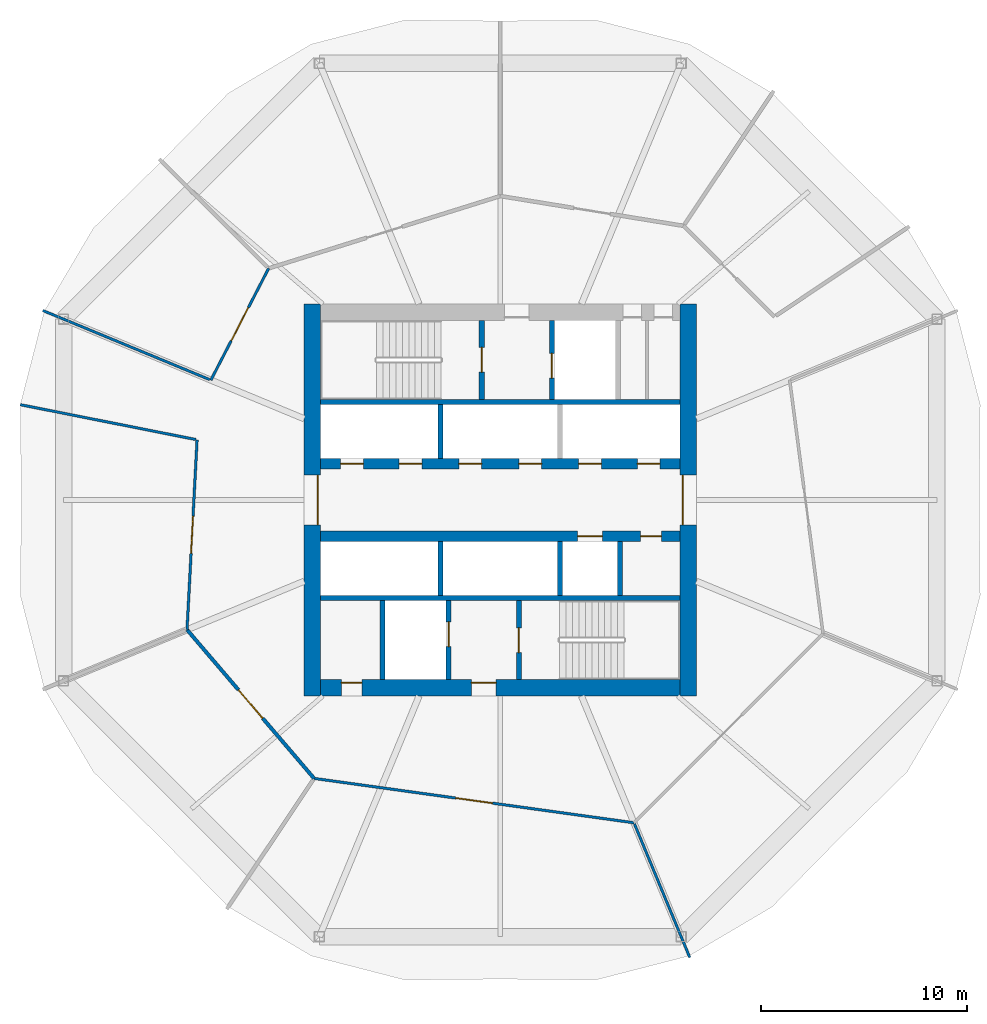
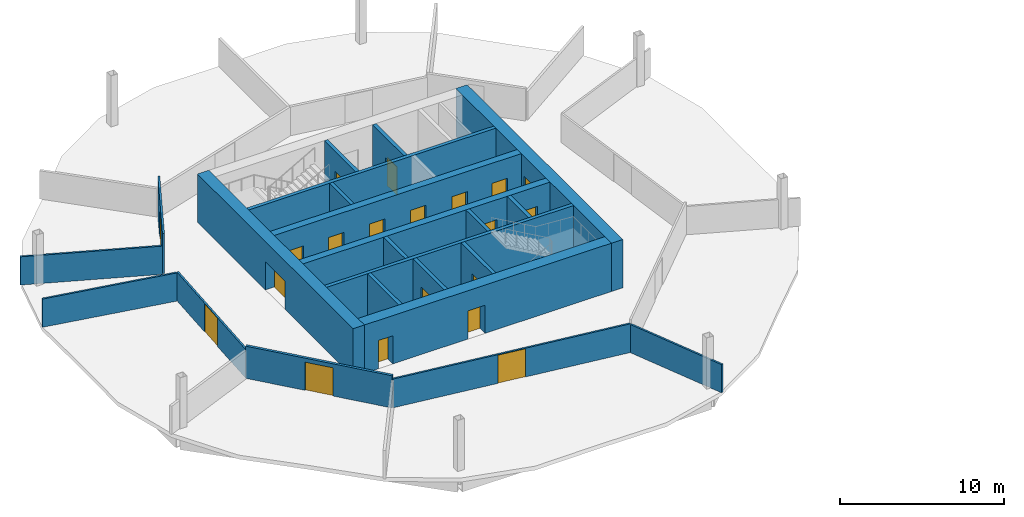
# One storey, part 4 of 9: 23 walls, 20 doors, 20 openings.
"""IFC4 building model written with IfcOpenShell, lengths in metres."""

from ifc_helpers import new_model, si_unit, direction, frame, frame_2d, origin, place, context, subcontext, project, spatial, rectangle, extrude, material, layer, layer_set, type_object, element, fill, save


model = new_model("IFC4")

# Units and contexts
model_context = context("Model", 3, precision=1e-05, world=origin(), true_north=direction((0.0, 1.0)))
body_context = subcontext(model_context, "Body", "Model", "MODEL_VIEW")
ifc_project = project(units=[si_unit("LENGTHUNIT", "METRE"), si_unit("AREAUNIT", "SQUARE_METRE"), si_unit("VOLUMEUNIT", "CUBIC_METRE"), si_unit("PLANEANGLEUNIT", "RADIAN"), si_unit("MASSUNIT", "GRAM", prefix="KILO")], contexts=[model_context])

# Site, building, storey
site_placement = place(None, origin())
site = spatial("IfcSite", under=ifc_project, at=site_placement, CompositionType="ELEMENT")
building_placement = place(site_placement, origin())
building = spatial("IfcBuilding", under=site, at=building_placement, Name="Ogive Gate Towers", CompositionType="ELEMENT")
storey_placement = place(building_placement, frame((0.0, 0.0, 67.5)))
storey = spatial("IfcBuildingStorey", under=building, at=storey_placement, Name="L15", CompositionType="ELEMENT", Elevation=67.5)

# Wall, opening, door
ifc_material_1 = material(Name="Gypsum board acoustic partition")
ifc_layer_1 = layer(ifc_material_1, 0.175048828125)
ifc_layer_set_1 = layer_set([ifc_layer_1], Name="Acoustic partition 175")
wall_type_1 = type_object("IfcWallType", Name="Acoustic partition 175", PredefinedType="PARTITIONING", material=ifc_layer_set_1)
wall_1_placement = place(storey_placement, frame((-51.175537109375, -6.285888671875, 0.0), z_axis=(0.0, 0.0, 1.0), x_axis=(0.649772264794, -0.760128938999, 0.0)))
wall_1 = element("IfcWall", 1, at=wall_1_placement, inside=storey, type_object=wall_type_1, Name="Partition T1-L15-017", PredefinedType="PARTITIONING", context=body_context, shape_type="SweptSolid", body=[
    extrude(rectangle(XDim=9.475341796875, YDim=0.175048828125, at=frame_2d((4.73779296875, 0.0))), origin(), (0.0, 0.0, 1.0), 2.39990234375),
])
opening_1_placement = place(wall_1_placement, frame((3.837890625, 0.0, 0.0)))
opening_1 = element("IfcOpeningElement", 2, at=opening_1_placement, cuts=wall_1, Name="Opening T1-L15-D06", PredefinedType="OPENING", context=body_context, shape_type="SweptSolid", body=[
    extrude(rectangle(XDim=1.800048828125, YDim=2.10009765625, at=frame_2d((0.89990234375, 1.050048828125))), frame((0.0, 0.09765625, 0.0), z_axis=(0.0, -1.0, 0.0), x_axis=(1.0, 0.0, 0.0)), (0.0, 0.0, 1.0), 0.195068359375),
])
ifc_material_2 = material(Name="Timber door", Category="wood")
door_type_1 = type_object("IfcDoorType", Name="Door pair 1800", OperationType="NOTDEFINED", PredefinedType="DOOR", material=ifc_material_2)
door_1_placement = place(opening_1_placement, origin())
door_1 = element("IfcDoor", 3, at=door_1_placement, inside=storey, type_object=door_type_1, Name="Door T1-L15-D06", OperationType="DOUBLE_DOOR_DOUBLE_SWING", OverallHeight=2.10009765625, OverallWidth=1.800048828125, PredefinedType="DOOR", context=body_context, shape_type="SweptSolid", body=[
    extrude(rectangle(XDim=1.800048828125, YDim=2.10009765625, at=frame_2d((0.89990234375, 1.050048828125))), frame((0.0, 0.02490234375, 0.0), z_axis=(0.0, -1.0, 0.0), x_axis=(1.0, 0.0, 0.0)), (0.0, 0.0, 1.0), 0.050048828125),
])
fill(opening_1, door_1)

# Wall, openings, doors
ifc_material_3 = material(Name="Concrete C60/75", Category="concrete")
ifc_layer_2 = layer(ifc_material_3, 0.800048828125)
ifc_layer_set_2 = layer_set([ifc_layer_2], Name="Core wall 800 mm")
wall_type_2 = type_object("IfcWallType", Name="Core wall 800 mm", PredefinedType="SHEAR", material=ifc_layer_set_2)
wall_2_placement = place(storey_placement, frame((-44.699951171875, -9.10009765625, 0.0), z_axis=(0.0, 0.0, 1.0), x_axis=(1.0, 0.0, 0.0)))
wall_2 = element("IfcWall", 4, at=wall_2_placement, inside=storey, type_object=wall_type_2, Name="T1 L15 Core wall 800 mm", PredefinedType="SHEAR", context=body_context, shape_type="SweptSolid", body=[
    extrude(rectangle(XDim=17.39990234375, YDim=0.800048828125, at=frame_2d((8.699951171875, 0.0))), origin(), (0.0, 0.0, 1.0), 3.60009765625),
])
opening_2_placement = place(wall_2_placement, frame((7.300048828125, 0.0, 0.0)))
opening_2 = element("IfcOpeningElement", 5, at=opening_2_placement, cuts=wall_2, Name="Opening KD-T1-L15-16", PredefinedType="OPENING", context=body_context, shape_type="SweptSolid", body=[
    extrude(rectangle(XDim=1.199951171875, YDim=2.10009765625, at=frame_2d((0.60009765625, 1.050048828125))), frame((0.0, 0.41015625, 0.0), z_axis=(0.0, -1.0, 0.0), x_axis=(1.0, 0.0, 0.0)), (0.0, 0.0, 1.0), 0.820068359375),
])
opening_3_placement = place(wall_2_placement, frame((1.0, 0.0, 0.0)))
opening_3 = element("IfcOpeningElement", 6, at=opening_3_placement, cuts=wall_2, Name="Opening KD-T1-L15-19", PredefinedType="OPENING", context=body_context, shape_type="SweptSolid", body=[
    extrude(rectangle(XDim=1.0, YDim=2.10009765625, at=frame_2d((0.5, 1.050048828125))), frame((0.0, 0.41015625, 0.0), z_axis=(0.0, -1.0, 0.0), x_axis=(1.0, 0.0, 0.0)), (0.0, 0.0, 1.0), 0.820068359375),
])
door_type_2 = type_object("IfcDoorType", Name="Accessible WC door 1000 x 2100", OperationType="NOTDEFINED", PredefinedType="DOOR", material=ifc_material_2)
door_2_placement = place(opening_3_placement, origin())
door_2 = element("IfcDoor", 7, at=door_2_placement, inside=storey, type_object=door_type_2, Name="T1 L15 Core door", OperationType="SINGLE_SWING_RIGHT", OverallHeight=2.10009765625, OverallWidth=1.0, PredefinedType="DOOR", context=body_context, shape_type="SweptSolid", body=[
    extrude(rectangle(XDim=1.0, YDim=2.10009765625, at=frame_2d((0.5, 1.050048828125))), frame((0.0, 0.27490234375, 0.0), z_axis=(0.0, -1.0, 0.0), x_axis=(1.0, 0.0, 0.0)), (0.0, 0.0, 1.0), 0.050048828125),
])
fill(opening_3, door_2)
ifc_material_4 = material(Name="Steel fire door", Category="steel")
door_type_3 = type_object("IfcDoorType", Name="Core door FD60S 1200 x 2100", OperationType="NOTDEFINED", PredefinedType="DOOR", material=ifc_material_4)
door_3_placement = place(opening_2_placement, origin())
door_3 = element("IfcDoor", 8, at=door_3_placement, inside=storey, type_object=door_type_3, Name="T1 L15 Fire-fighting lobby door", OperationType="SINGLE_SWING_LEFT", OverallHeight=2.10009765625, OverallWidth=1.199951171875, PredefinedType="DOOR", context=body_context, shape_type="SweptSolid", body=[
    extrude(rectangle(XDim=1.199951171875, YDim=2.10009765625, at=frame_2d((0.60009765625, 1.050048828125))), frame((0.0, 0.27490234375, 0.0), z_axis=(0.0, -1.0, 0.0), x_axis=(1.0, 0.0, 0.0)), (0.0, 0.0, 1.0), 0.050048828125),
])
fill(opening_2, door_3)

# Wall, opening, door
wall_3_placement = place(storey_placement, frame((-45.10009765625, -9.5, 0.0), z_axis=(0.0, 0.0, 1.0), x_axis=(0.0, 1.0, 0.0)))
wall_3 = element("IfcWall", 9, at=wall_3_placement, inside=storey, type_object=wall_type_2, Name="T1 L15 Core wall 800 mm", PredefinedType="SHEAR", context=body_context, shape_type="SweptSolid", body=[
    extrude(rectangle(XDim=19.0, YDim=0.800048828125, at=frame_2d((9.5, 0.0))), origin(), (0.0, 0.0, 1.0), 3.60009765625),
])
opening_4_placement = place(wall_3_placement, frame((8.300048828125, 0.0, 0.0)))
opening_4 = element("IfcOpeningElement", 10, at=opening_4_placement, cuts=wall_3, Name="Opening KD-T1-L15-01", PredefinedType="OPENING", context=body_context, shape_type="SweptSolid", body=[
    extrude(rectangle(XDim=2.39990234375, YDim=2.10009765625, at=frame_2d((1.199951171875, 1.050048828125))), frame((0.0, 0.41015625, 0.0), z_axis=(0.0, -1.0, 0.0), x_axis=(1.0, 0.0, 0.0)), (0.0, 0.0, 1.0), 0.820068359375),
])
door_type_4 = type_object("IfcDoorType", Name="Core double door FD60S 2400 x 2100", OperationType="DOUBLE_DOOR_SINGLE_SWING", PredefinedType="DOOR", material=ifc_material_4)
door_4_placement = place(opening_4_placement, origin())
door_4 = element("IfcDoor", 11, at=door_4_placement, inside=storey, type_object=door_type_4, Name="T1 L15 Core door double", OperationType="DOUBLE_DOOR_SINGLE_SWING", OverallHeight=2.10009765625, OverallWidth=2.39990234375, PredefinedType="DOOR", context=body_context, shape_type="SweptSolid", body=[
    extrude(rectangle(XDim=2.39990234375, YDim=2.10009765625, at=frame_2d((1.199951171875, 1.050048828125))), frame((0.0, -0.22509765625, 0.0), z_axis=(0.0, -1.0, 0.0), x_axis=(1.0, 0.0, 0.0)), (0.0, 0.0, 1.0), 0.050048828125),
])
fill(opening_4, door_4)

wall_4_placement = place(storey_placement, frame((-26.89990234375, -9.5, 0.0), z_axis=(0.0, 0.0, 1.0), x_axis=(0.0, 1.0, 0.0)))
wall_4 = element("IfcWall", 12, at=wall_4_placement, inside=storey, type_object=wall_type_2, Name="T1 L15 Core wall 800 mm", PredefinedType="SHEAR", context=body_context, shape_type="SweptSolid", body=[
    extrude(rectangle(XDim=19.0, YDim=0.800048828125, at=frame_2d((9.5, 0.0))), origin(), (0.0, 0.0, 1.0), 3.60009765625),
])
opening_5_placement = place(wall_4_placement, frame((8.300048828125, 0.0, 0.0)))
opening_5 = element("IfcOpeningElement", 13, at=opening_5_placement, cuts=wall_4, Name="Opening KD-T1-L15-02", PredefinedType="OPENING", context=body_context, shape_type="SweptSolid", body=[
    extrude(rectangle(XDim=2.39990234375, YDim=2.10009765625, at=frame_2d((1.199951171875, 1.050048828125))), frame((0.0, 0.41015625, 0.0), z_axis=(0.0, -1.0, 0.0), x_axis=(1.0, 0.0, 0.0)), (0.0, 0.0, 1.0), 0.820068359375),
])
door_5_placement = place(opening_5_placement, origin())
door_5 = element("IfcDoor", 14, at=door_5_placement, inside=storey, type_object=door_type_4, Name="T1 L15 Core door double", OperationType="DOUBLE_DOOR_SINGLE_SWING", OverallHeight=2.10009765625, OverallWidth=2.39990234375, PredefinedType="DOOR", context=body_context, shape_type="SweptSolid", body=[
    extrude(rectangle(XDim=2.39990234375, YDim=2.10009765625, at=frame_2d((1.199951171875, 1.050048828125))), frame((0.0, 0.27490234375, 0.0), z_axis=(0.0, -1.0, 0.0), x_axis=(1.0, 0.0, 0.0)), (0.0, 0.0, 1.0), 0.050048828125),
])
fill(opening_5, door_5)

# Walls
ifc_material_5 = material(Name="Gypsum board partition")
ifc_layer_3 = layer(ifc_material_5, 0.125)
ifc_layer_set_3 = layer_set([ifc_layer_3], Name="Partition 125")
wall_type_3 = type_object("IfcWallType", Name="Partition 125", PredefinedType="PARTITIONING", material=ifc_layer_set_3)
wall_5_placement = place(storey_placement, frame((-58.16845703125, 9.182373046875, 0.0), z_axis=(0.0, 0.0, 1.0), x_axis=(0.923883284304, -0.38267437461, 0.0)))
element("IfcWall", 15, at=wall_5_placement, inside=storey, type_object=wall_type_3, Name="Partition T1-L15-006", PredefinedType="PARTITIONING", context=body_context, shape_type="SweptSolid", body=[
    extrude(rectangle(XDim=8.75634765625, YDim=0.125, at=frame_2d((4.378173828125, 0.0))), origin(), (0.0, 0.0, 1.0), 2.10009765625),
])
wall_6_placement = place(storey_placement, frame((-59.25537109375, 4.6181640625, 0.0), z_axis=(0.0, 0.0, 1.0), x_axis=(0.980848307459, -0.194773195677, 0.0)))
element("IfcWall", 16, at=wall_6_placement, inside=storey, type_object=wall_type_3, Name="Partition T1-L15-007", PredefinedType="PARTITIONING", context=body_context, shape_type="SweptSolid", body=[
    extrude(rectangle(XDim=8.67138671875, YDim=0.125, at=frame_2d((4.335693359375, 0.0))), origin(), (0.0, 0.0, 1.0), 2.10009765625),
])
wall_7_placement = place(storey_placement, frame((-26.817626953125, -22.16845703125, 0.0), z_axis=(0.0, 0.0, 1.0), x_axis=(-0.382669798703, 0.923885179641, 0.0)))
element("IfcWall", 17, at=wall_7_placement, inside=storey, type_object=wall_type_3, Name="Partition T1-L15-010", PredefinedType="PARTITIONING", context=body_context, shape_type="SweptSolid", body=[
    extrude(rectangle(XDim=7.00634765625, YDim=0.125, at=frame_2d((3.503173828125, 0.0))), origin(), (0.0, 0.0, 1.0), 2.10009765625),
])

# Wall, opening, door
wall_8_placement = place(storey_placement, frame((-47.2216796875, 11.2216796875, 0.0), z_axis=(0.0, 0.0, 1.0), x_axis=(-0.459254002115, -0.888304993536, 0.0)))
wall_8 = element("IfcWall", 18, at=wall_8_placement, inside=storey, type_object=wall_type_3, Name="Partition T1-L15-015", PredefinedType="PARTITIONING", context=body_context, shape_type="SweptSolid", body=[
    extrude(rectangle(XDim=6.0947265625, YDim=0.125, at=frame_2d((3.04736328125, 0.0))), origin(), (0.0, 0.0, 1.0), 3.010009765625),
])
opening_6_placement = place(wall_8_placement, frame((2.14697265625, 0.0, 0.0)))
opening_6 = element("IfcOpeningElement", 19, at=opening_6_placement, cuts=wall_8, Name="Opening T1-L15-D04", PredefinedType="OPENING", context=body_context, shape_type="SweptSolid", body=[
    extrude(rectangle(XDim=1.800048828125, YDim=2.10009765625, at=frame_2d((0.89990234375, 1.050048828125))), frame((0.0, 0.072509765625, 0.0), z_axis=(0.0, -1.0, 0.0), x_axis=(1.0, 0.0, 0.0)), (0.0, 0.0, 1.0), 0.14501953125),
])
door_6_placement = place(opening_6_placement, origin())
door_6 = element("IfcDoor", 20, at=door_6_placement, inside=storey, type_object=door_type_1, Name="Door T1-L15-D04", OperationType="DOUBLE_DOOR_DOUBLE_SWING", OverallHeight=2.10009765625, OverallWidth=1.800048828125, PredefinedType="DOOR", context=body_context, shape_type="SweptSolid", body=[
    extrude(rectangle(XDim=1.800048828125, YDim=2.10009765625, at=frame_2d((0.89990234375, 1.050048828125))), frame((0.0, 0.02490234375, 0.0), z_axis=(0.0, -1.0, 0.0), x_axis=(1.0, 0.0, 0.0)), (0.0, 0.0, 1.0), 0.050048828125),
])
fill(opening_6, door_6)

wall_9_placement = place(storey_placement, frame((-50.688720703125, 2.9169921875, 0.0), z_axis=(0.0, 0.0, 1.0), x_axis=(-0.052824406681, -0.998603816365, 0.0)))
wall_9 = element("IfcWall", 21, at=wall_9_placement, inside=storey, type_object=wall_type_3, Name="Partition T1-L15-016", PredefinedType="PARTITIONING", context=body_context, shape_type="SweptSolid", body=[
    extrude(rectangle(XDim=9.2158203125, YDim=0.125, at=frame_2d((4.60791015625, 0.0))), origin(), (0.0, 0.0, 1.0), 2.139892578125),
])
opening_7_placement = place(wall_9_placement, frame((3.7080078125, 0.0, 0.0)))
opening_7 = element("IfcOpeningElement", 22, at=opening_7_placement, cuts=wall_9, Name="Opening T1-L15-D05", PredefinedType="OPENING", context=body_context, shape_type="SweptSolid", body=[
    extrude(rectangle(XDim=1.800048828125, YDim=2.10009765625, at=frame_2d((0.89990234375, 1.050048828125))), frame((0.0, 0.072509765625, 0.0), z_axis=(0.0, -1.0, 0.0), x_axis=(1.0, 0.0, 0.0)), (0.0, 0.0, 1.0), 0.14501953125),
])
door_7_placement = place(opening_7_placement, origin())
door_7 = element("IfcDoor", 23, at=door_7_placement, inside=storey, type_object=door_type_1, Name="Door T1-L15-D05", OperationType="DOUBLE_DOOR_DOUBLE_SWING", OverallHeight=2.10009765625, OverallWidth=1.800048828125, PredefinedType="DOOR", context=body_context, shape_type="SweptSolid", body=[
    extrude(rectangle(XDim=1.800048828125, YDim=2.10009765625, at=frame_2d((0.89990234375, 1.050048828125))), frame((0.0, 0.02490234375, 0.0), z_axis=(0.0, -1.0, 0.0), x_axis=(1.0, 0.0, 0.0)), (0.0, 0.0, 1.0), 0.050048828125),
])
fill(opening_7, door_7)

wall_10_placement = place(storey_placement, frame((-45.018798828125, -13.48828125, 0.0), z_axis=(0.0, 0.0, 1.0), x_axis=(0.99051682936, -0.137391450808, 0.0)))
wall_10 = element("IfcWall", 24, at=wall_10_placement, inside=storey, type_object=wall_type_3, Name="Partition T1-L15-018", PredefinedType="PARTITIONING", context=body_context, shape_type="SweptSolid", body=[
    extrude(rectangle(XDim=15.64453125, YDim=0.125, at=frame_2d((7.822265625, 0.0))), origin(), (0.0, 0.0, 1.0), 2.139892578125),
])
opening_8_placement = place(wall_10_placement, frame((6.922119140625, 0.0, 0.0)))
opening_8 = element("IfcOpeningElement", 25, at=opening_8_placement, cuts=wall_10, Name="Opening T1-L15-D07", PredefinedType="OPENING", context=body_context, shape_type="SweptSolid", body=[
    extrude(rectangle(XDim=1.800048828125, YDim=2.10009765625, at=frame_2d((0.89990234375, 1.050048828125))), frame((0.0, 0.072509765625, 0.0), z_axis=(0.0, -1.0, 0.0), x_axis=(1.0, 0.0, 0.0)), (0.0, 0.0, 1.0), 0.14501953125),
])
door_8_placement = place(opening_8_placement, origin())
door_8 = element("IfcDoor", 26, at=door_8_placement, inside=storey, type_object=door_type_1, Name="Door T1-L15-D07", OperationType="DOUBLE_DOOR_DOUBLE_SWING", OverallHeight=2.10009765625, OverallWidth=1.800048828125, PredefinedType="DOOR", context=body_context, shape_type="SweptSolid", body=[
    extrude(rectangle(XDim=1.800048828125, YDim=2.10009765625, at=frame_2d((0.89990234375, 1.050048828125))), frame((0.0, 0.02490234375, 0.0), z_axis=(0.0, -1.0, 0.0), x_axis=(1.0, 0.0, 0.0)), (0.0, 0.0, 1.0), 0.050048828125),
])
fill(opening_8, door_8)

# Walls
ifc_layer_4 = layer(ifc_material_3, 0.25)
ifc_layer_set_4 = layer_set([ifc_layer_4], Name="Shaft wall 250 mm")
wall_type_4 = type_object("IfcWallType", Name="Shaft wall 250 mm", PredefinedType="SHEAR", material=ifc_layer_set_4)
for number, where, z_axis, x_axis, name in (
    (27, (-44.699951171875, -4.75, 0.0), (0.0, 0.0, 1.0), (1.0, 0.0, 0.0), "T1 L15 Shaft wall 250 mm"),
    (28, (-44.699951171875, 4.75, 0.0), (0.0, 0.0, 1.0), (1.0, 0.0, 0.0), "T1 L15 Shaft wall 250 mm"),
):
    element("IfcWall", number, at=place(storey_placement, frame(where, z_axis=z_axis, x_axis=x_axis)), inside=storey, type_object=wall_type_4, Name=name, PredefinedType="SHEAR", context=body_context, shape_type="SweptSolid", body=[
        extrude(rectangle(XDim=17.39990234375, YDim=0.25, at=frame_2d((8.699951171875, 0.0))), origin(), (0.0, 0.0, 1.0), 3.60009765625),
    ])
wall_11_placement = place(storey_placement, frame((-41.699951171875, -8.699951171875, 0.0), z_axis=(0.0, 0.0, 1.0), x_axis=(0.0, 1.0, 0.0)))
element("IfcWall", 29, at=wall_11_placement, inside=storey, type_object=wall_type_4, Name="T1 L15 Shaft wall 250 mm", PredefinedType="SHEAR", context=body_context, shape_type="SweptSolid", body=[
    extrude(rectangle(XDim=3.824951171875, YDim=0.25, at=frame_2d((1.91259765625, 0.0))), origin(), (0.0, 0.0, 1.0), 3.60009765625),
])
for number, where, z_axis, x_axis, name in (
    (30, (-38.89990234375, -4.625, 0.0), (0.0, 0.0, 1.0), (0.0, 1.0, 0.0), "T1 L15 Shaft wall 250 mm"),
    (31, (-38.89990234375, 2.0, 0.0), (0.0, 0.0, 1.0), (0.0, 1.0, 0.0), "T1 L15 Shaft wall 250 mm"),
):
    element("IfcWall", number, at=place(storey_placement, frame(where, z_axis=z_axis, x_axis=x_axis)), inside=storey, type_object=wall_type_4, Name=name, PredefinedType="SHEAR", context=body_context, shape_type="SweptSolid", body=[
        extrude(rectangle(XDim=2.625, YDim=0.25, at=frame_2d((1.3125, 0.0))), origin(), (0.0, 0.0, 1.0), 3.60009765625),
    ])

# Wall, opening, door
wall_12_placement = place(storey_placement, frame((-38.5, -8.699951171875, 0.0), z_axis=(0.0, 0.0, 1.0), x_axis=(0.0, 1.0, 0.0)))
wall_12 = element("IfcWall", 32, at=wall_12_placement, inside=storey, type_object=wall_type_4, Name="T1 L15 Shaft wall 250 mm", PredefinedType="SHEAR", context=body_context, shape_type="SweptSolid", body=[
    extrude(rectangle(XDim=3.824951171875, YDim=0.25, at=frame_2d((1.91259765625, 0.0))), origin(), (0.0, 0.0, 1.0), 3.60009765625),
])
opening_9_placement = place(wall_12_placement, frame((1.60009765625, 0.0, 0.0)))
opening_9 = element("IfcOpeningElement", 33, at=opening_9_placement, cuts=wall_12, Name="Opening LD-T1-L15-11", PredefinedType="OPENING", context=body_context, shape_type="SweptSolid", body=[
    extrude(rectangle(XDim=1.199951171875, YDim=2.10009765625, at=frame_2d((0.60009765625, 1.050048828125))), frame((0.0, 0.135009765625, 0.0), z_axis=(0.0, -1.0, 0.0), x_axis=(1.0, 0.0, 0.0)), (0.0, 0.0, 1.0), 0.27001953125),
])
ifc_material_6 = material(Name="Stainless steel landing door", Category="steel")
door_type_5 = type_object("IfcDoorType", Name="Landing door 1200 x 2100", OperationType="SLIDING_TO_LEFT", PredefinedType="DOOR", material=ifc_material_6)
door_9_placement = place(opening_9_placement, origin())
door_9 = element("IfcDoor", 34, at=door_9_placement, inside=storey, type_object=door_type_5, Name="T1 L15 Lift landing door FF2", OperationType="SLIDING_TO_LEFT", OverallHeight=2.10009765625, OverallWidth=1.199951171875, PredefinedType="DOOR", context=body_context, shape_type="SweptSolid", body=[
    extrude(rectangle(XDim=1.199951171875, YDim=2.10009765625, at=frame_2d((0.60009765625, 1.050048828125))), frame((0.0, 0.02490234375, 0.0), z_axis=(0.0, -1.0, 0.0), x_axis=(1.0, 0.0, 0.0)), (0.0, 0.0, 1.0), 0.050048828125),
])
fill(opening_9, door_9)

wall_13_placement = place(storey_placement, frame((-36.89990234375, 4.875, 0.0), z_axis=(0.0, 0.0, 1.0), x_axis=(0.0, 1.0, 0.0)))
wall_13 = element("IfcWall", 35, at=wall_13_placement, inside=storey, type_object=wall_type_4, Name="T1 L15 Shaft wall 250 mm", PredefinedType="SHEAR", context=body_context, shape_type="SweptSolid", body=[
    extrude(rectangle(XDim=3.824951171875, YDim=0.25, at=frame_2d((1.91259765625, 0.0))), origin(), (0.0, 0.0, 1.0), 3.60009765625),
])
opening_10_placement = place(wall_13_placement, frame((1.324951171875, 0.0, 0.0)))
opening_10 = element("IfcOpeningElement", 36, at=opening_10_placement, cuts=wall_13, Name="Opening KD-T1-L15-13", PredefinedType="OPENING", context=body_context, shape_type="SweptSolid", body=[
    extrude(rectangle(XDim=1.199951171875, YDim=2.10009765625, at=frame_2d((0.60009765625, 1.050048828125))), frame((0.0, 0.135009765625, 0.0), z_axis=(0.0, -1.0, 0.0), x_axis=(1.0, 0.0, 0.0)), (0.0, 0.0, 1.0), 0.27001953125),
])
door_10_placement = place(opening_10_placement, origin())
door_10 = element("IfcDoor", 37, at=door_10_placement, inside=storey, type_object=door_type_3, Name="T1 L15 Stair door", OperationType="SINGLE_SWING_RIGHT", OverallHeight=2.10009765625, OverallWidth=1.199951171875, PredefinedType="DOOR", context=body_context, shape_type="SweptSolid", body=[
    extrude(rectangle(XDim=1.199951171875, YDim=2.10009765625, at=frame_2d((0.60009765625, 1.050048828125))), frame((0.0, 0.02490234375, 0.0), z_axis=(0.0, -1.0, 0.0), x_axis=(1.0, 0.0, 0.0)), (0.0, 0.0, 1.0), 0.050048828125),
])
fill(opening_10, door_10)

wall_14_placement = place(storey_placement, frame((-35.10009765625, -8.699951171875, 0.0), z_axis=(0.0, 0.0, 1.0), x_axis=(0.0, 1.0, 0.0)))
wall_14 = element("IfcWall", 38, at=wall_14_placement, inside=storey, type_object=wall_type_4, Name="T1 L15 Shaft wall 250 mm", PredefinedType="SHEAR", context=body_context, shape_type="SweptSolid", body=[
    extrude(rectangle(XDim=3.824951171875, YDim=0.25, at=frame_2d((1.91259765625, 0.0))), origin(), (0.0, 0.0, 1.0), 3.60009765625),
])
opening_11_placement = place(wall_14_placement, frame((1.300048828125, 0.0, 0.0)))
opening_11 = element("IfcOpeningElement", 39, at=opening_11_placement, cuts=wall_14, Name="Opening KD-T1-L15-14", PredefinedType="OPENING", context=body_context, shape_type="SweptSolid", body=[
    extrude(rectangle(XDim=1.199951171875, YDim=2.10009765625, at=frame_2d((0.60009765625, 1.050048828125))), frame((0.0, 0.135009765625, 0.0), z_axis=(0.0, -1.0, 0.0), x_axis=(1.0, 0.0, 0.0)), (0.0, 0.0, 1.0), 0.27001953125),
])
door_11_placement = place(opening_11_placement, origin())
door_11 = element("IfcDoor", 40, at=door_11_placement, inside=storey, type_object=door_type_3, Name="T1 L15 Stair door", OperationType="SINGLE_SWING_LEFT", OverallHeight=2.10009765625, OverallWidth=1.199951171875, PredefinedType="DOOR", context=body_context, shape_type="SweptSolid", body=[
    extrude(rectangle(XDim=1.199951171875, YDim=2.10009765625, at=frame_2d((0.60009765625, 1.050048828125))), frame((0.0, 0.02490234375, 0.0), z_axis=(0.0, -1.0, 0.0), x_axis=(1.0, 0.0, 0.0)), (0.0, 0.0, 1.0), 0.050048828125),
])
fill(opening_11, door_11)

wall_15_placement = place(storey_placement, frame((-33.5, 4.875, 0.0), z_axis=(0.0, 0.0, 1.0), x_axis=(0.0, 1.0, 0.0)))
wall_15 = element("IfcWall", 41, at=wall_15_placement, inside=storey, type_object=wall_type_4, Name="T1 L15 Shaft wall 250 mm", PredefinedType="SHEAR", context=body_context, shape_type="SweptSolid", body=[
    extrude(rectangle(XDim=3.824951171875, YDim=0.25, at=frame_2d((1.91259765625, 0.0))), origin(), (0.0, 0.0, 1.0), 3.60009765625),
])
opening_12_placement = place(wall_15_placement, frame((1.02490234375, 0.0, 0.0)))
opening_12 = element("IfcOpeningElement", 42, at=opening_12_placement, cuts=wall_15, Name="Opening LD-T1-L15-10", PredefinedType="OPENING", context=body_context, shape_type="SweptSolid", body=[
    extrude(rectangle(XDim=1.199951171875, YDim=2.10009765625, at=frame_2d((0.60009765625, 1.050048828125))), frame((0.0, 0.135009765625, 0.0), z_axis=(0.0, -1.0, 0.0), x_axis=(1.0, 0.0, 0.0)), (0.0, 0.0, 1.0), 0.27001953125),
])
door_12_placement = place(opening_12_placement, origin())
door_12 = element("IfcDoor", 43, at=door_12_placement, inside=storey, type_object=door_type_5, Name="T1 L15 Lift landing door FF1", OperationType="SLIDING_TO_LEFT", OverallHeight=2.10009765625, OverallWidth=1.199951171875, PredefinedType="DOOR", context=body_context, shape_type="SweptSolid", body=[
    extrude(rectangle(XDim=1.199951171875, YDim=2.10009765625, at=frame_2d((0.60009765625, 1.050048828125))), frame((0.0, 0.02490234375, 0.0), z_axis=(0.0, -1.0, 0.0), x_axis=(1.0, 0.0, 0.0)), (0.0, 0.0, 1.0), 0.050048828125),
])
fill(opening_12, door_12)

# Walls
for number, where, z_axis, x_axis, name in (
    (44, (-33.10009765625, -4.625, 0.0), (0.0, 0.0, 1.0), (0.0, 1.0, 0.0), "T1 L15 Shaft wall 250 mm"),
    (45, (-30.199951171875, -4.625, 0.0), (0.0, 0.0, 1.0), (0.0, 1.0, 0.0), "T1 L15 Shaft wall 250 mm"),
):
    element("IfcWall", number, at=place(storey_placement, frame(where, z_axis=z_axis, x_axis=x_axis)), inside=storey, type_object=wall_type_4, Name=name, PredefinedType="SHEAR", context=body_context, shape_type="SweptSolid", body=[
        extrude(rectangle(XDim=2.625, YDim=0.25, at=frame_2d((1.3125, 0.0))), origin(), (0.0, 0.0, 1.0), 3.60009765625),
    ])

# Wall, openings, doors
ifc_layer_5 = layer(ifc_material_3, 0.5)
ifc_layer_set_5 = layer_set([ifc_layer_5], Name="Spine wall 500 mm")
wall_type_5 = type_object("IfcWallType", Name="Spine wall 500 mm", PredefinedType="SHEAR", material=ifc_layer_set_5)
wall_16_placement = place(storey_placement, frame((-44.699951171875, -1.75, 0.0), z_axis=(0.0, 0.0, 1.0), x_axis=(1.0, 0.0, 0.0)))
wall_16 = element("IfcWall", 46, at=wall_16_placement, inside=storey, type_object=wall_type_5, Name="T1 L15 Spine wall 500 mm", PredefinedType="SHEAR", context=body_context, shape_type="SweptSolid", body=[
    extrude(rectangle(XDim=17.39990234375, YDim=0.5, at=frame_2d((8.699951171875, 0.0))), origin(), (0.0, 0.0, 1.0), 3.60009765625),
])
opening_13_placement = place(wall_16_placement, frame((12.449951171875, 0.0, 0.0)))
opening_13 = element("IfcOpeningElement", 47, at=opening_13_placement, cuts=wall_16, Name="Opening LD-T1-L15-09", PredefinedType="OPENING", context=body_context, shape_type="SweptSolid", body=[
    extrude(rectangle(XDim=1.199951171875, YDim=2.10009765625, at=frame_2d((0.60009765625, 1.050048828125))), frame((0.0, 0.260009765625, 0.0), z_axis=(0.0, -1.0, 0.0), x_axis=(1.0, 0.0, 0.0)), (0.0, 0.0, 1.0), 0.52001953125),
])
opening_14_placement = place(wall_16_placement, frame((15.5, 0.0, 0.0)))
opening_14 = element("IfcOpeningElement", 48, at=opening_14_placement, cuts=wall_16, Name="Opening KD-T1-L15-12", PredefinedType="OPENING", context=body_context, shape_type="SweptSolid", body=[
    extrude(rectangle(XDim=1.0, YDim=2.10009765625, at=frame_2d((0.5, 1.050048828125))), frame((0.0, 0.260009765625, 0.0), z_axis=(0.0, -1.0, 0.0), x_axis=(1.0, 0.0, 0.0)), (0.0, 0.0, 1.0), 0.52001953125),
])
door_type_6 = type_object("IfcDoorType", Name="Core door FD60S 1000 x 2100", OperationType="NOTDEFINED", PredefinedType="DOOR", material=ifc_material_4)
door_13_placement = place(opening_14_placement, origin())
door_13 = element("IfcDoor", 49, at=door_13_placement, inside=storey, type_object=door_type_6, Name="T1 L15 Core door", OperationType="SINGLE_SWING_LEFT", OverallHeight=2.10009765625, OverallWidth=1.0, PredefinedType="DOOR", context=body_context, shape_type="SweptSolid", body=[
    extrude(rectangle(XDim=1.0, YDim=2.10009765625, at=frame_2d((0.5, 1.050048828125))), frame((0.0, 0.02490234375, 0.0), z_axis=(0.0, -1.0, 0.0), x_axis=(1.0, 0.0, 0.0)), (0.0, 0.0, 1.0), 0.050048828125),
])
fill(opening_14, door_13)
door_14_placement = place(opening_13_placement, origin())
door_14 = element("IfcDoor", 50, at=door_14_placement, inside=storey, type_object=door_type_5, Name="T1 L15 Lift landing door SVC", OperationType="SLIDING_TO_LEFT", OverallHeight=2.10009765625, OverallWidth=1.199951171875, PredefinedType="DOOR", context=body_context, shape_type="SweptSolid", body=[
    extrude(rectangle(XDim=1.199951171875, YDim=2.10009765625, at=frame_2d((0.60009765625, 1.050048828125))), frame((0.0, 0.02490234375, 0.0), z_axis=(0.0, -1.0, 0.0), x_axis=(1.0, 0.0, 0.0)), (0.0, 0.0, 1.0), 0.050048828125),
])
fill(opening_13, door_14)

wall_17_placement = place(storey_placement, frame((-44.699951171875, 1.75, 0.0), z_axis=(0.0, 0.0, 1.0), x_axis=(1.0, 0.0, 0.0)))
wall_17 = element("IfcWall", 51, at=wall_17_placement, inside=storey, type_object=wall_type_5, Name="T1 L15 Spine wall 500 mm", PredefinedType="SHEAR", context=body_context, shape_type="SweptSolid", body=[
    extrude(rectangle(XDim=17.39990234375, YDim=0.5, at=frame_2d((8.699951171875, 0.0))), origin(), (0.0, 0.0, 1.0), 3.60009765625),
])
opening_15_placement = place(wall_17_placement, frame((0.96240234375, 0.0, 0.0)))
opening_15 = element("IfcOpeningElement", 52, at=opening_15_placement, cuts=wall_17, Name="Opening LD-T1-L15-03", PredefinedType="OPENING", context=body_context, shape_type="SweptSolid", body=[
    extrude(rectangle(XDim=1.10009765625, YDim=2.10009765625, at=frame_2d((0.550048828125, 1.050048828125))), frame((0.0, 0.260009765625, 0.0), z_axis=(0.0, -1.0, 0.0), x_axis=(1.0, 0.0, 0.0)), (0.0, 0.0, 1.0), 0.52001953125),
])
opening_16_placement = place(wall_17_placement, frame((3.800048828125, 0.0, 0.0)))
opening_16 = element("IfcOpeningElement", 53, at=opening_16_placement, cuts=wall_17, Name="Opening LD-T1-L15-04", PredefinedType="OPENING", context=body_context, shape_type="SweptSolid", body=[
    extrude(rectangle(XDim=1.10009765625, YDim=2.10009765625, at=frame_2d((0.550048828125, 1.050048828125))), frame((0.0, 0.260009765625, 0.0), z_axis=(0.0, -1.0, 0.0), x_axis=(1.0, 0.0, 0.0)), (0.0, 0.0, 1.0), 0.52001953125),
])
opening_17_placement = place(wall_17_placement, frame((6.699951171875, 0.0, 0.0)))
opening_17 = element("IfcOpeningElement", 54, at=opening_17_placement, cuts=wall_17, Name="Opening LD-T1-L15-05", PredefinedType="OPENING", context=body_context, shape_type="SweptSolid", body=[
    extrude(rectangle(XDim=1.10009765625, YDim=2.10009765625, at=frame_2d((0.550048828125, 1.050048828125))), frame((0.0, 0.260009765625, 0.0), z_axis=(0.0, -1.0, 0.0), x_axis=(1.0, 0.0, 0.0)), (0.0, 0.0, 1.0), 0.52001953125),
])
opening_18_placement = place(wall_17_placement, frame((9.60009765625, 0.0, 0.0)))
opening_18 = element("IfcOpeningElement", 55, at=opening_18_placement, cuts=wall_17, Name="Opening LD-T1-L15-06", PredefinedType="OPENING", context=body_context, shape_type="SweptSolid", body=[
    extrude(rectangle(XDim=1.10009765625, YDim=2.10009765625, at=frame_2d((0.550048828125, 1.050048828125))), frame((0.0, 0.260009765625, 0.0), z_axis=(0.0, -1.0, 0.0), x_axis=(1.0, 0.0, 0.0)), (0.0, 0.0, 1.0), 0.52001953125),
])
opening_19_placement = place(wall_17_placement, frame((12.5, 0.0, 0.0)))
opening_19 = element("IfcOpeningElement", 56, at=opening_19_placement, cuts=wall_17, Name="Opening LD-T1-L15-07", PredefinedType="OPENING", context=body_context, shape_type="SweptSolid", body=[
    extrude(rectangle(XDim=1.10009765625, YDim=2.10009765625, at=frame_2d((0.550048828125, 1.050048828125))), frame((0.0, 0.260009765625, 0.0), z_axis=(0.0, -1.0, 0.0), x_axis=(1.0, 0.0, 0.0)), (0.0, 0.0, 1.0), 0.52001953125),
])
opening_20_placement = place(wall_17_placement, frame((15.33740234375, 0.0, 0.0)))
opening_20 = element("IfcOpeningElement", 57, at=opening_20_placement, cuts=wall_17, Name="Opening LD-T1-L15-08", PredefinedType="OPENING", context=body_context, shape_type="SweptSolid", body=[
    extrude(rectangle(XDim=1.10009765625, YDim=2.10009765625, at=frame_2d((0.550048828125, 1.050048828125))), frame((0.0, 0.260009765625, 0.0), z_axis=(0.0, -1.0, 0.0), x_axis=(1.0, 0.0, 0.0)), (0.0, 0.0, 1.0), 0.52001953125),
])
door_type_7 = type_object("IfcDoorType", Name="Landing door 1100 x 2100", OperationType="SLIDING_TO_LEFT", PredefinedType="DOOR", material=ifc_material_6)
door_15_placement = place(opening_15_placement, origin())
door_15 = element("IfcDoor", 58, at=door_15_placement, inside=storey, type_object=door_type_7, Name="T1 L15 Lift landing door A1", OperationType="SLIDING_TO_LEFT", OverallHeight=2.10009765625, OverallWidth=1.10009765625, PredefinedType="DOOR", context=body_context, shape_type="SweptSolid", body=[
    extrude(rectangle(XDim=1.10009765625, YDim=2.10009765625, at=frame_2d((0.550048828125, 1.050048828125))), frame((0.0, 0.02490234375, 0.0), z_axis=(0.0, -1.0, 0.0), x_axis=(1.0, 0.0, 0.0)), (0.0, 0.0, 1.0), 0.050048828125),
])
fill(opening_15, door_15)
door_16_placement = place(opening_16_placement, origin())
door_16 = element("IfcDoor", 59, at=door_16_placement, inside=storey, type_object=door_type_7, Name="T1 L15 Lift landing door A2", OperationType="SLIDING_TO_LEFT", OverallHeight=2.10009765625, OverallWidth=1.10009765625, PredefinedType="DOOR", context=body_context, shape_type="SweptSolid", body=[
    extrude(rectangle(XDim=1.10009765625, YDim=2.10009765625, at=frame_2d((0.550048828125, 1.050048828125))), frame((0.0, 0.02490234375, 0.0), z_axis=(0.0, -1.0, 0.0), x_axis=(1.0, 0.0, 0.0)), (0.0, 0.0, 1.0), 0.050048828125),
])
fill(opening_16, door_16)
door_17_placement = place(opening_17_placement, origin())
door_17 = element("IfcDoor", 60, at=door_17_placement, inside=storey, type_object=door_type_7, Name="T1 L15 Lift landing door A3", OperationType="SLIDING_TO_LEFT", OverallHeight=2.10009765625, OverallWidth=1.10009765625, PredefinedType="DOOR", context=body_context, shape_type="SweptSolid", body=[
    extrude(rectangle(XDim=1.10009765625, YDim=2.10009765625, at=frame_2d((0.550048828125, 1.050048828125))), frame((0.0, 0.02490234375, 0.0), z_axis=(0.0, -1.0, 0.0), x_axis=(1.0, 0.0, 0.0)), (0.0, 0.0, 1.0), 0.050048828125),
])
fill(opening_17, door_17)
door_18_placement = place(opening_18_placement, origin())
door_18 = element("IfcDoor", 61, at=door_18_placement, inside=storey, type_object=door_type_7, Name="T1 L15 Lift landing door A4", OperationType="SLIDING_TO_LEFT", OverallHeight=2.10009765625, OverallWidth=1.10009765625, PredefinedType="DOOR", context=body_context, shape_type="SweptSolid", body=[
    extrude(rectangle(XDim=1.10009765625, YDim=2.10009765625, at=frame_2d((0.550048828125, 1.050048828125))), frame((0.0, 0.02490234375, 0.0), z_axis=(0.0, -1.0, 0.0), x_axis=(1.0, 0.0, 0.0)), (0.0, 0.0, 1.0), 0.050048828125),
])
fill(opening_18, door_18)
door_19_placement = place(opening_19_placement, origin())
door_19 = element("IfcDoor", 62, at=door_19_placement, inside=storey, type_object=door_type_7, Name="T1 L15 Lift landing door A5", OperationType="SLIDING_TO_LEFT", OverallHeight=2.10009765625, OverallWidth=1.10009765625, PredefinedType="DOOR", context=body_context, shape_type="SweptSolid", body=[
    extrude(rectangle(XDim=1.10009765625, YDim=2.10009765625, at=frame_2d((0.550048828125, 1.050048828125))), frame((0.0, 0.02490234375, 0.0), z_axis=(0.0, -1.0, 0.0), x_axis=(1.0, 0.0, 0.0)), (0.0, 0.0, 1.0), 0.050048828125),
])
fill(opening_19, door_19)
door_20_placement = place(opening_20_placement, origin())
door_20 = element("IfcDoor", 63, at=door_20_placement, inside=storey, type_object=door_type_7, Name="T1 L15 Lift landing door A6", OperationType="SLIDING_TO_LEFT", OverallHeight=2.10009765625, OverallWidth=1.10009765625, PredefinedType="DOOR", context=body_context, shape_type="SweptSolid", body=[
    extrude(rectangle(XDim=1.10009765625, YDim=2.10009765625, at=frame_2d((0.550048828125, 1.050048828125))), frame((0.0, 0.02490234375, 0.0), z_axis=(0.0, -1.0, 0.0), x_axis=(1.0, 0.0, 0.0)), (0.0, 0.0, 1.0), 0.050048828125),
])
fill(opening_20, door_20)

save(model, "model.ifc")
